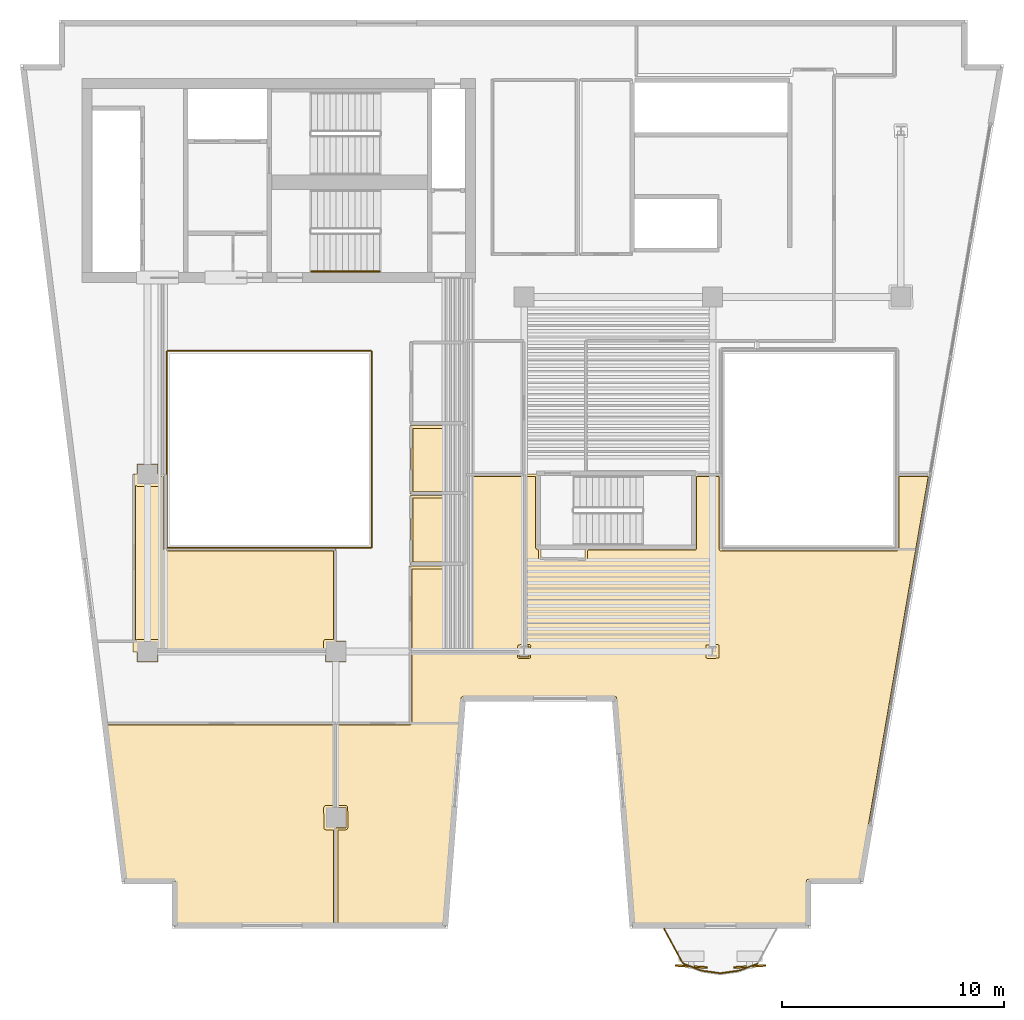
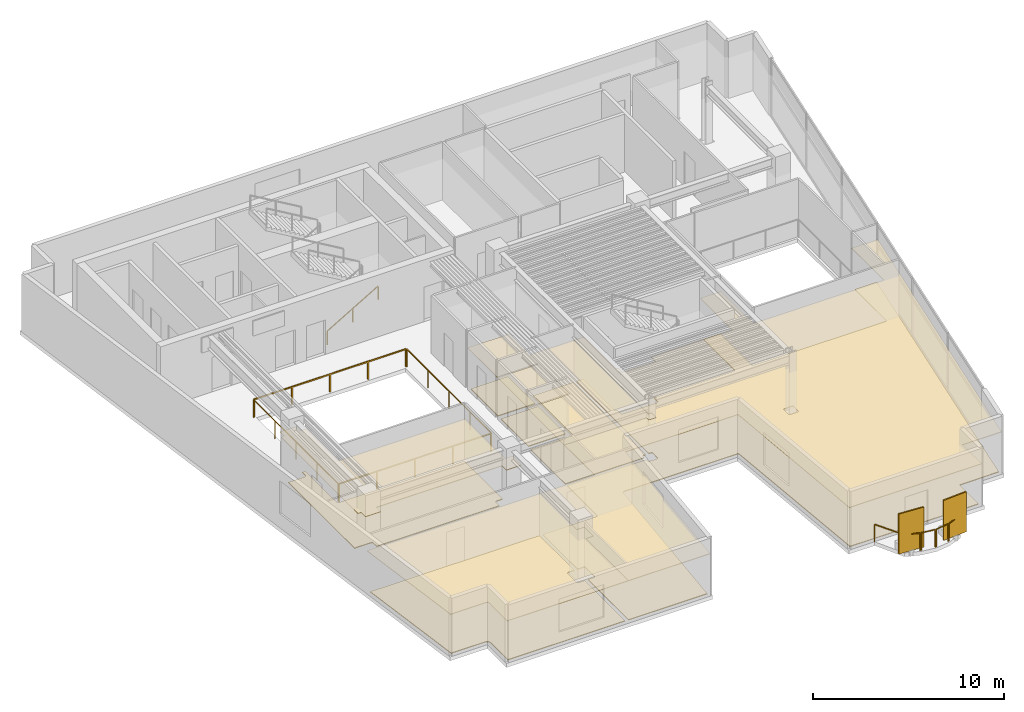
# One storey, part 7 of 10: 12 coverings, 10 railings, 2 shading devices.
"""IFC4 building model written with IfcOpenShell, lengths in metres."""

from ifc_helpers import new_model, si_unit, direction, frame, origin, origin_2d, place, context, subcontext, project, spatial, polyline, rectangle, outline, extrude, material, layer, layer_set, type_object, element, save


model = new_model("IFC4")

# Units and contexts
model_context = context("Model", 3, precision=1e-05, world=origin(), true_north=direction((0.0, 1.0)))
body_context = subcontext(model_context, "Body", "Model", "MODEL_VIEW")
ifc_project = project(units=[si_unit("LENGTHUNIT", "METRE"), si_unit("AREAUNIT", "SQUARE_METRE"), si_unit("VOLUMEUNIT", "CUBIC_METRE"), si_unit("PLANEANGLEUNIT", "RADIAN"), si_unit("MASSUNIT", "GRAM", prefix="KILO")], contexts=[model_context])

# Site, building, storey
site_placement = place(None, origin())
site = spatial("IfcSite", under=ifc_project, at=site_placement, CompositionType="ELEMENT")
building_placement = place(site_placement, origin())
building = spatial("IfcBuilding", under=site, at=building_placement, Name="Caeloran Harvest Quay", CompositionType="ELEMENT")
storey_placement = place(building_placement, frame((0.0, 0.0, 183.75)))
storey = spatial("IfcBuildingStorey", under=building, at=storey_placement, Name="L43", CompositionType="ELEMENT", Elevation=183.75)

# Coverings
ifc_material_1 = material(Name="Perforated Mineral-Fibre Acoustic Ceiling Tile", Category="ceiling")
ifc_layer_1 = layer(ifc_material_1, 0.0400390625, Name="Perforated Mineral-Fibre Acoustic Ceiling Tile")
ifc_layer_set_1 = layer_set([ifc_layer_1], Name="Perforated Mineral-Fibre Acoustic Ceiling Tile")
covering_type_1 = type_object("IfcCoveringType", Name="COV-CEILING-ACOUSTIC", PredefinedType="CEILING", material=ifc_layer_set_1)
covering_1_placement = place(storey_placement, frame((0.0, 0.0, 2.60009765625)))
element("IfcCovering", 1, at=covering_1_placement, inside=storey, type_object=covering_type_1, Name="L43 Female Washroom WC Acoustic Ceiling", PredefinedType="CEILING", context=body_context, shape_type="SweptSolid", body=[
    extrude(outline(polyline([(22.840087890625, 25.18994140625), (22.840087890625, 22.110107421875), (20.360107421875, 22.110107421875), (20.360107421875, 25.18994140625), (22.840087890625, 25.18994140625)])), origin(), (0.0, 0.0, 1.0), 0.039794921875),
])
covering_2_placement = place(storey_placement, frame((0.0, 0.0, 2.60009765625)))
element("IfcCovering", 2, at=covering_2_placement, inside=storey, type_object=covering_type_1, Name="L43 Accessible Unisex Washroom WC Acoustic Ceiling", PredefinedType="CEILING", context=body_context, shape_type="SweptSolid", body=[
    extrude(outline(polyline([(22.840087890625, 22.0400390625), (22.840087890625, 18.919921875), (20.360107421875, 18.919921875), (20.360107421875, 22.0400390625), (22.840087890625, 22.0400390625)])), origin(), (0.0, 0.0, 1.0), 0.039794921875),
])
covering_3_placement = place(storey_placement, frame((0.0, 0.0, 2.60009765625)))
element("IfcCovering", 3, at=covering_3_placement, inside=storey, type_object=covering_type_1, Name="Harbourfront Commercial Counsel Office Acoustic Ceiling", PredefinedType="CEILING", context=body_context, shape_type="SweptSolid", body=[
    extrude(outline(polyline([(9.691162109375, 4.547119140625), (9.650146484375, 4.588134765625), (9.60205078125, 4.60009765625), (7.4423828125, 4.60009765625), (6.544921875, 11.81005859375), (17.02001953125, 11.81005859375), (17.02001953125, 7.969970703125), (17.469970703125, 7.969970703125), (17.469970703125, 7.030029296875), (17.02001953125, 7.030029296875), (17.02001953125, 2.60009765625), (9.702880859375, 2.60009765625), (9.702880859375, 4.4990234375), (9.691162109375, 4.547119140625)])), origin(), (0.0, 0.0, 1.0), 0.039794921875),
])
covering_4_placement = place(storey_placement, frame((0.0, 0.0, 2.60009765625)))
element("IfcCovering", 4, at=covering_4_placement, inside=storey, type_object=covering_type_1, Name="Commodities Research Office Acoustic Ceiling", PredefinedType="CEILING", context=body_context, shape_type="SweptSolid", body=[
    extrude(outline(polyline([(16.530029296875, 7.969970703125), (16.97998046875, 7.969970703125), (16.97998046875, 11.81005859375), (20.31005859375, 11.81005859375), (20.31005859375, 15.02001953125), (25.27197265625, 15.02001953125), (25.27197265625, 15.242919921875), (25.47998046875, 15.242919921875), (25.47998046875, 23.02001953125), (26.139892578125, 23.02001953125), (26.139892578125, 19.708251953125), (26.260009765625, 19.665283203125), (26.260009765625, 19.239501953125), (28.239990234375, 19.210693359375), (28.239990234375, 19.68994140625), (33.159912109375, 19.68994140625), (33.159912109375, 23.02001953125), (34.409912109375, 23.02001953125), (34.409912109375, 19.659912109375), (42.2900390625, 19.659912109375), (42.2900390625, 23.02001953125), (43.87841796875, 23.02001953125), (40.71240234375, 4.60009765625), (38.35302734375, 4.60009765625), (38.35302734375, 2.60009765625), (30.362060546875, 2.60009765625), (29.56201171875, 12.85009765625), (22.764404296875, 12.85009765625), (21.964599609375, 2.60009765625), (16.97998046875, 2.60009765625), (16.97998046875, 7.030029296875), (16.530029296875, 7.030029296875), (16.530029296875, 7.969970703125)])), origin(), (0.0, 0.0, 1.0), 0.039794921875),
])
covering_5_placement = place(storey_placement, frame((0.0, 0.0, 2.60009765625)))
element("IfcCovering", 5, at=covering_5_placement, inside=storey, type_object=covering_type_1, Name="Maritime Trade Advisory Office Acoustic Ceiling", PredefinedType="CEILING", context=body_context, shape_type="SweptSolid", body=[
    extrude(outline(polyline([(8.030029296875, 14.97998046875), (7.840087890625, 14.97998046875), (7.840087890625, 23.02001953125), (8.030029296875, 23.02001953125), (8.030029296875, 23.469970703125), (8.969970703125, 23.469970703125), (8.969970703125, 23.02001953125), (9.360107421875, 23.02001953125), (9.360107421875, 19.659912109375), (17.02001953125, 19.659912109375), (17.02001953125, 15.469970703125), (17.469970703125, 15.469970703125), (17.469970703125, 14.530029296875), (16.530029296875, 14.530029296875), (16.530029296875, 14.97998046875), (8.969970703125, 14.97998046875), (8.969970703125, 14.530029296875), (8.030029296875, 14.530029296875), (8.030029296875, 14.97998046875)])), origin(), (0.0, 0.0, 1.0), 0.039794921875),
])
covering_6_placement = place(storey_placement, frame((0.0, 0.0, 2.60009765625)))
element("IfcCovering", 6, at=covering_6_placement, inside=storey, type_object=covering_type_1, Name="Managing Director Corner Office Acoustic Ceiling", PredefinedType="CEILING", context=body_context, shape_type="SweptSolid", body=[
    extrude(outline(polyline([(25.72802734375, 15.242919921875), (25.72802734375, 14.757080078125), (25.27197265625, 14.757080078125), (25.27197265625, 14.97998046875), (20.31005859375, 14.97998046875), (20.31005859375, 18.85009765625), (22.8701171875, 18.85009765625), (22.8701171875, 23.02001953125), (25.52001953125, 23.02001953125), (25.52001953125, 15.242919921875), (25.72802734375, 15.242919921875)])), origin(), (0.0, 0.0, 1.0), 0.039794921875),
])
ifc_material_2 = material(Name="Calcium-Sulphate Raised Access Floor and Terrazzo Finish", Category="flooring")
ifc_layer_2 = layer(ifc_material_2, 0.050048828125, Name="Calcium-Sulphate Raised Access Floor and Terrazzo Finish")
ifc_layer_set_2 = layer_set([ifc_layer_2], Name="Calcium-Sulphate Raised Access Floor and Terrazzo Finish")
covering_type_2 = type_object("IfcCoveringType", Name="COV-FLOOR-RAISED", PredefinedType="FLOORING", material=ifc_layer_set_2)
covering_7_placement = place(storey_placement, origin())
element("IfcCovering", 7, at=covering_7_placement, inside=storey, type_object=covering_type_2, Name="L43 Female Washroom WC Raised Finish Flooring", PredefinedType="FLOORING", context=body_context, shape_type="SweptSolid", body=[
    extrude(outline(polyline([(22.719970703125, 25.070068359375), (22.719970703125, 22.22998046875), (20.47998046875, 22.22998046875), (20.47998046875, 25.070068359375), (22.719970703125, 25.070068359375)])), origin(), (0.0, 0.0, 1.0), 0.050048828125),
])
covering_8_placement = place(storey_placement, origin())
element("IfcCovering", 8, at=covering_8_placement, inside=storey, type_object=covering_type_2, Name="L43 Accessible Unisex Washroom WC Raised Finish Flooring", PredefinedType="FLOORING", context=body_context, shape_type="SweptSolid", body=[
    extrude(outline(polyline([(22.719970703125, 21.919921875), (22.719970703125, 19.0400390625), (20.47998046875, 19.0400390625), (20.47998046875, 21.919921875), (22.719970703125, 21.919921875)])), origin(), (0.0, 0.0, 1.0), 0.050048828125),
])
covering_9_placement = place(storey_placement, origin())
element("IfcCovering", 9, at=covering_9_placement, inside=storey, type_object=covering_type_2, Name="Harbourfront Commercial Counsel Office Raised Finish Flooring", PredefinedType="FLOORING", context=body_context, shape_type="SweptSolid", body=[
    extrude(outline(polyline([(9.8076171875, 4.58056640625), (9.728515625, 4.6806640625), (9.62060546875, 4.71923828125), (7.54833984375, 4.719970703125), (6.680908203125, 11.68994140625), (16.89990234375, 11.68994140625), (16.89990234375, 8.044921875), (16.519287109375, 8.04345703125), (16.455078125, 7.965087890625), (16.461181640625, 7.00439453125), (16.527099609375, 6.955322265625), (16.89990234375, 6.955078125), (16.89990234375, 2.719970703125), (9.822998046875, 2.719970703125), (9.8076171875, 4.58056640625)])), origin(), (0.0, 0.0, 1.0), 0.050048828125),
])
covering_10_placement = place(storey_placement, origin())
element("IfcCovering", 10, at=covering_10_placement, inside=storey, type_object=covering_type_2, Name="Commodities Research Office Raised Finish Flooring", PredefinedType="FLOORING", context=body_context, shape_type="SweptSolid", body=[
    extrude(outline(polyline([(22.653076171875, 12.91943359375), (21.853515625, 2.719970703125), (17.10009765625, 2.719970703125), (17.10009765625, 6.955078125), (17.480712890625, 6.95654296875), (17.544921875, 7.034912109375), (17.538818359375, 7.99560546875), (17.472900390625, 8.044677734375), (17.10009765625, 8.044921875), (17.10009765625, 11.68994140625), (20.35009765625, 11.68994140625), (20.406494140625, 11.71337890625), (20.429931640625, 11.77001953125), (20.429931640625, 14.89990234375), (25.197021484375, 14.89990234375), (25.200439453125, 14.73876953125), (25.25390625, 14.685302734375), (25.722900390625, 14.681884765625), (25.784912109375, 14.711181640625), (25.799560546875, 15.26123046875), (25.74609375, 15.314697265625), (25.60009765625, 15.318115234375), (25.60009765625, 22.89990234375), (26.02001953125, 22.89990234375), (26.02001953125, 19.679931640625), (26.047119140625, 19.619873046875), (26.139892578125, 19.580810546875), (26.1533203125, 19.156005859375), (26.21875, 19.1201171875), (28.27880859375, 19.090087890625), (28.3583984375, 19.154296875), (28.360107421875, 19.570068359375), (33.250732421875, 19.588134765625), (33.280029296875, 19.64990234375), (33.280029296875, 22.89990234375), (34.2900390625, 22.89990234375), (34.2900390625, 19.6201171875), (34.33935546875, 19.546142578125), (42.345703125, 19.54150390625), (42.409912109375, 19.6201171875), (42.409912109375, 22.89990234375), (43.736083984375, 22.89990234375), (40.611328125, 4.719970703125), (38.26220703125, 4.701904296875), (38.23291015625, 4.639892578125), (38.23291015625, 2.719970703125), (30.472900390625, 2.719970703125), (29.66162109375, 12.93994140625), (29.59912109375, 12.969970703125), (22.7275390625, 12.969970703125), (22.653076171875, 12.91943359375)]), holes=[polyline([(34.302978515625, 15.238037109375), (34.279541015625, 15.294677734375), (34.230712890625, 15.317626953125), (33.726318359375, 15.2998046875), (33.697021484375, 15.238037109375), (33.715087890625, 14.711181640625), (33.777099609375, 14.681884765625), (34.273681640625, 14.7001953125), (34.302490234375, 14.754150390625), (34.302978515625, 15.238037109375)])]), origin(), (0.0, 0.0, 1.0), 0.050048828125),
])
covering_11_placement = place(storey_placement, origin())
element("IfcCovering", 11, at=covering_11_placement, inside=storey, type_object=covering_type_2, Name="Maritime Trade Advisory Office Raised Finish Flooring", PredefinedType="FLOORING", context=body_context, shape_type="SweptSolid", body=[
    extrude(outline(polyline([(7.9599609375, 15.49267578125), (7.9599609375, 22.50732421875), (8.034912109375, 22.455078125), (8.98828125, 22.45849609375), (9.044677734375, 22.527099609375), (9.044921875, 22.89990234375), (9.239990234375, 22.89990234375), (9.239990234375, 19.64990234375), (9.2607421875, 19.585693359375), (9.314208984375, 19.5458984375), (16.89990234375, 19.5400390625), (16.89990234375, 15.544921875), (16.527099609375, 15.544677734375), (16.478515625, 15.521484375), (16.455322265625, 15.472900390625), (16.455078125, 15.10009765625), (9.044921875, 15.10009765625), (9.044677734375, 15.472900390625), (8.99560546875, 15.538818359375), (8.034912109375, 15.544921875), (7.9599609375, 15.49267578125)])), origin(), (0.0, 0.0, 1.0), 0.050048828125),
])
covering_12_placement = place(storey_placement, origin())
element("IfcCovering", 12, at=covering_12_placement, inside=storey, type_object=covering_type_2, Name="Managing Director Corner Office Raised Finish Flooring", PredefinedType="FLOORING", context=body_context, shape_type="SweptSolid", body=[
    extrude(outline(polyline([(22.897705078125, 18.7314453125), (22.96240234375, 18.76708984375), (22.989990234375, 18.840087890625), (22.989990234375, 22.89990234375), (25.39990234375, 22.89990234375), (25.39990234375, 15.318115234375), (25.220458984375, 15.294677734375), (25.197021484375, 15.10009765625), (20.429931640625, 15.10009765625), (20.429931640625, 18.72998046875), (22.897705078125, 18.7314453125)])), origin(), (0.0, 0.0, 1.0), 0.050048828125),
])

# Railings
ifc_material_3 = material(Name="Powder-Coated Steel Post and Laminated Glass Guardrail", Category="steel")
ifc_layer_3 = layer(ifc_material_3, 0.06005859375, Name="Powder-Coated Steel Post and Laminated Glass Guardrail")
ifc_layer_set_3 = layer_set([ifc_layer_3], Name="Powder-Coated Steel Post and Laminated Glass Guardrail")
railing_type_1 = type_object("IfcRailingType", Name="GUARD-ATRIUM-1150", PredefinedType="GUARDRAIL", material=ifc_layer_set_3)
railing_1_placement = place(storey_placement, frame((9.412109375, 19.679931640625, 0.0)))
element("IfcRailing", 13, at=railing_1_placement, inside=storey, type_object=railing_type_1, Name="L43 Skylit Atrium Void Perimeter Guardrail Seg 1", PredefinedType="GUARDRAIL", context=body_context, shape_type="SweptSolid", body=[
    extrude(rectangle(XDim=0.048095703125, YDim=0.048095703125, at=origin_2d()), frame((0.0, 0.0, 1.1259765625), z_axis=(1.0, 0.0, 0.0), x_axis=(0.0, 1.0, 0.0)), (0.0, 0.0, 1.0), 9.17578125),
    extrude(rectangle(XDim=0.0419921875, YDim=0.0419921875, at=origin_2d()), origin(), (0.0, 0.0, 1.0), 1.101806640625),
    extrude(rectangle(XDim=0.0419921875, YDim=0.0419921875, at=origin_2d()), frame((2.2939453125, 0.0, 0.0)), (0.0, 0.0, 1.0), 1.101806640625),
    extrude(rectangle(XDim=0.0419921875, YDim=0.0419921875, at=origin_2d()), frame((4.587890625, 0.0, 0.0)), (0.0, 0.0, 1.0), 1.101806640625),
    extrude(rectangle(XDim=0.0419921875, YDim=0.0419921875, at=origin_2d()), frame((6.8818359375, 0.0, 0.0)), (0.0, 0.0, 1.0), 1.101806640625),
    extrude(rectangle(XDim=0.0419921875, YDim=0.0419921875, at=origin_2d()), frame((9.17578125, 0.0, 0.0)), (0.0, 0.0, 1.0), 1.101806640625),
])
railing_2_placement = place(storey_placement, frame((18.6201171875, 19.7119140625, 0.0)))
element("IfcRailing", 14, at=railing_2_placement, inside=storey, type_object=railing_type_1, Name="L43 Skylit Atrium Void Perimeter Guardrail Seg 2", PredefinedType="GUARDRAIL", context=body_context, shape_type="SweptSolid", body=[
    extrude(rectangle(XDim=0.048095703125, YDim=0.048095703125, at=origin_2d()), frame((0.0, 0.0, 1.1259765625), z_axis=(0.0, 1.0, 0.0), x_axis=(-1.0, 0.0, 0.0)), (0.0, 0.0, 1.0), 8.826171875),
    extrude(rectangle(XDim=0.0419921875, YDim=0.0419921875, at=origin_2d()), origin(), (0.0, 0.0, 1.0), 1.101806640625),
    extrude(rectangle(XDim=0.0419921875, YDim=0.0419921875, at=origin_2d()), frame((0.0, 2.20654296875, 0.0)), (0.0, 0.0, 1.0), 1.101806640625),
    extrude(rectangle(XDim=0.0419921875, YDim=0.0419921875, at=origin_2d()), frame((0.0, 4.4130859375, 0.0)), (0.0, 0.0, 1.0), 1.101806640625),
    extrude(rectangle(XDim=0.0419921875, YDim=0.0419921875, at=origin_2d()), frame((0.0, 6.61962890625, 0.0)), (0.0, 0.0, 1.0), 1.101806640625),
    extrude(rectangle(XDim=0.0419921875, YDim=0.0419921875, at=origin_2d()), frame((0.0, 8.826171875, 0.0)), (0.0, 0.0, 1.0), 1.101806640625),
])
railing_3_placement = place(storey_placement, frame((18.587890625, 28.570068359375, 0.0)))
element("IfcRailing", 15, at=railing_3_placement, inside=storey, type_object=railing_type_1, Name="L43 Skylit Atrium Void Perimeter Guardrail Seg 3", PredefinedType="GUARDRAIL", context=body_context, shape_type="SweptSolid", body=[
    extrude(rectangle(XDim=0.048095703125, YDim=0.048095703125, at=origin_2d()), frame((0.0, 0.0, 1.1259765625), z_axis=(-1.0, 0.0, 0.0), x_axis=(0.0, -1.0, 0.0)), (0.0, 0.0, 1.0), 9.17578125),
    extrude(rectangle(XDim=0.0419921875, YDim=0.0419921875, at=origin_2d()), origin(), (0.0, 0.0, 1.0), 1.101806640625),
    extrude(rectangle(XDim=0.0419921875, YDim=0.0419921875, at=origin_2d()), frame((-2.2939453125, 0.0, 0.0)), (0.0, 0.0, 1.0), 1.101806640625),
    extrude(rectangle(XDim=0.0419921875, YDim=0.0419921875, at=origin_2d()), frame((-4.587890625, 0.0, 0.0)), (0.0, 0.0, 1.0), 1.101806640625),
    extrude(rectangle(XDim=0.0419921875, YDim=0.0419921875, at=origin_2d()), frame((-6.8818359375, 0.0, 0.0)), (0.0, 0.0, 1.0), 1.101806640625),
    extrude(rectangle(XDim=0.0419921875, YDim=0.0419921875, at=origin_2d()), frame((-9.17578125, 0.0, 0.0)), (0.0, 0.0, 1.0), 1.101806640625),
])
railing_4_placement = place(storey_placement, frame((9.3798828125, 28.5380859375, 0.0)))
element("IfcRailing", 16, at=railing_4_placement, inside=storey, type_object=railing_type_1, Name="L43 Skylit Atrium Void Perimeter Guardrail Seg 4", PredefinedType="GUARDRAIL", context=body_context, shape_type="SweptSolid", body=[
    extrude(rectangle(XDim=0.048095703125, YDim=0.048095703125, at=origin_2d()), frame((0.0, 0.0, 1.1259765625), z_axis=(0.0, -1.0, 0.0), x_axis=(1.0, 0.0, 0.0)), (0.0, 0.0, 1.0), 8.826171875),
    extrude(rectangle(XDim=0.0419921875, YDim=0.0419921875, at=origin_2d()), origin(), (0.0, 0.0, 1.0), 1.101806640625),
    extrude(rectangle(XDim=0.0419921875, YDim=0.0419921875, at=origin_2d()), frame((0.0, -2.20654296875, 0.0)), (0.0, 0.0, 1.0), 1.101806640625),
    extrude(rectangle(XDim=0.0419921875, YDim=0.0419921875, at=origin_2d()), frame((0.0, -4.4130859375, 0.0)), (0.0, 0.0, 1.0), 1.101806640625),
    extrude(rectangle(XDim=0.0419921875, YDim=0.0419921875, at=origin_2d()), frame((0.0, -6.61962890625, 0.0)), (0.0, 0.0, 1.0), 1.101806640625),
    extrude(rectangle(XDim=0.0419921875, YDim=0.0419921875, at=origin_2d()), frame((0.0, -8.826171875, 0.0)), (0.0, 0.0, 1.0), 1.101806640625),
])
ifc_material_4 = material(Name="Laminated Safety Glass and Stainless Steel 316", Category="steel")
ifc_layer_4 = layer(ifc_material_4, 0.06005859375, Name="Laminated Safety Glass and Stainless Steel 316")
ifc_layer_set_4 = layer_set([ifc_layer_4], Name="Laminated Safety Glass and Stainless Steel 316")
railing_type_2 = type_object("IfcRailingType", Name="GUARD-BALUSTRADE-1150", PredefinedType="BALUSTRADE", material=ifc_layer_set_4)
railing_5_placement = place(storey_placement, frame((36.018798828125, 0.908203125, 0.0)))
element("IfcRailing", 17, at=railing_5_placement, inside=storey, type_object=railing_type_2, Name="L43 Planted Balcony Perimeter Balustrade Guard Seg 2", PredefinedType="BALUSTRADE", context=body_context, shape_type="SweptSolid", body=[
    extrude(rectangle(XDim=0.048095703125, YDim=0.048095703125, at=origin_2d()), frame((0.0, 0.0, 1.1259765625), z_axis=(-0.934358963189, -0.356333169812, 0.0), x_axis=(0.356333169812, -0.934358963189, 0.0)), (0.0, 0.0, 1.0), 0.84130859375),
    extrude(rectangle(XDim=0.0419921875, YDim=0.0419921875, at=origin_2d()), origin(), (0.0, 0.0, 1.0), 1.101806640625),
    extrude(rectangle(XDim=0.0419921875, YDim=0.0419921875, at=origin_2d()), frame((-0.7861328125, -0.2998046875, 0.0)), (0.0, 0.0, 1.0), 1.101806640625),
])
railing_6_placement = place(storey_placement, frame((35.1708984375, 0.5927734375, 0.0)))
element("IfcRailing", 18, at=railing_6_placement, inside=storey, type_object=railing_type_2, Name="L43 Planted Balcony Perimeter Balustrade Guard Seg 3", PredefinedType="BALUSTRADE", context=body_context, shape_type="SweptSolid", body=[
    extrude(rectangle(XDim=0.048095703125, YDim=0.048095703125, at=origin_2d()), frame((0.0, 0.0, 1.1259765625), z_axis=(-0.990377343879, -0.138393340629, 0.0), x_axis=(0.138393340629, -0.990377343879, 0.0)), (0.0, 0.0, 1.0), 0.790283203125),
    extrude(rectangle(XDim=0.0419921875, YDim=0.0419921875, at=origin_2d()), origin(), (0.0, 0.0, 1.0), 1.101806640625),
    extrude(rectangle(XDim=0.0419921875, YDim=0.0419921875, at=origin_2d()), frame((-0.78271484375, -0.109375, 0.0)), (0.0, 0.0, 1.0), 1.101806640625),
])
railing_7_placement = place(storey_placement, frame((34.32470703125, 0.4833984375, 0.0)))
element("IfcRailing", 19, at=railing_7_placement, inside=storey, type_object=railing_type_2, Name="L43 Planted Balcony Perimeter Balustrade Guard Seg 4", PredefinedType="BALUSTRADE", context=body_context, shape_type="SweptSolid", body=[
    extrude(rectangle(XDim=0.048095703125, YDim=0.048095703125, at=origin_2d()), frame((0.0, 0.0, 1.1259765625), z_axis=(-0.990377343879, 0.138393340629, 0.0), x_axis=(-0.138393340629, -0.990377343879, 0.0)), (0.0, 0.0, 1.0), 0.790283203125),
    extrude(rectangle(XDim=0.0419921875, YDim=0.0419921875, at=origin_2d()), origin(), (0.0, 0.0, 1.0), 1.101806640625),
    extrude(rectangle(XDim=0.0419921875, YDim=0.0419921875, at=origin_2d()), frame((-0.78271484375, 0.109375, 0.0)), (0.0, 0.0, 1.0), 1.101806640625),
])
railing_8_placement = place(storey_placement, frame((33.48046875, 0.6083984375, 0.0)))
element("IfcRailing", 20, at=railing_8_placement, inside=storey, type_object=railing_type_2, Name="L43 Planted Balcony Perimeter Balustrade Guard Seg 5", PredefinedType="BALUSTRADE", context=body_context, shape_type="SweptSolid", body=[
    extrude(rectangle(XDim=0.048095703125, YDim=0.048095703125, at=origin_2d()), frame((0.0, 0.0, 1.1259765625), z_axis=(-0.934395792516, 0.356236582804, 0.0), x_axis=(-0.356236582804, -0.934395792516, 0.0)), (0.0, 0.0, 1.0), 0.841552734375),
    extrude(rectangle(XDim=0.0419921875, YDim=0.0419921875, at=origin_2d()), origin(), (0.0, 0.0, 1.0), 1.101806640625),
    extrude(rectangle(XDim=0.0419921875, YDim=0.0419921875, at=origin_2d()), frame((-0.786376953125, 0.2998046875, 0.0)), (0.0, 0.0, 1.0), 1.101806640625),
])
railing_9_placement = place(storey_placement, frame((32.64892578125, 0.947509765625, 0.0)))
element("IfcRailing", 21, at=railing_9_placement, inside=storey, type_object=railing_type_2, Name="L43 Planted Balcony Perimeter Balustrade Guard Seg 6", PredefinedType="BALUSTRADE", context=body_context, shape_type="SweptSolid", body=[
    extrude(rectangle(XDim=0.048095703125, YDim=0.048095703125, at=origin_2d()), frame((0.0, 0.0, 1.1259765625), z_axis=(-0.476603455004, 0.87911839173, 0.0), x_axis=(-0.87911839173, -0.476603455004, 0.0)), (0.0, 0.0, 1.0), 1.7431640625),
    extrude(rectangle(XDim=0.0419921875, YDim=0.0419921875, at=origin_2d()), origin(), (0.0, 0.0, 1.0), 1.101806640625),
    extrude(rectangle(XDim=0.0419921875, YDim=0.0419921875, at=origin_2d()), frame((-0.830810546875, 1.532470703125, 0.0)), (0.0, 0.0, 1.0), 1.101806640625),
])

# Shading devices
ifc_material_5 = material(Name="3003-H14 Perforated Powder-Coated Aluminium", Category="aluminium")
shading_device_type = type_object("IfcShadingDeviceType", Name="SHADE-SCREEN-FOLDED", PredefinedType="USERDEFINED", material=ifc_material_5)
for number, where, z_axis, x_axis, name in (
    (22, (35.676513671875, 0.78515625, 0.0751953125), (0.0, 0.0, 1.0), (0.997801468292, 0.0662739004, 0.0), "L43 Folded Facade Breathing Screen 1"),
    (23, (33.03662109375, 0.78515625, 0.0751953125), (0.0, 0.0, 1.0), (0.997801468292, -0.0662739004, 0.0), "L43 Folded Facade Breathing Screen 2"),
):
    element("IfcShadingDevice", number, at=place(storey_placement, frame(where, z_axis=z_axis, x_axis=x_axis)), inside=storey, type_object=shading_device_type, Name=name, ObjectType="SCREEN", PredefinedType="USERDEFINED", context=body_context, shape_type="SweptSolid", body=[
        extrude(rectangle(XDim=1.449951171875, YDim=0.080078125, at=origin_2d()), origin(), (0.0, 0.0, 1.0), 2.550048828125),
    ])

# Railing
ifc_material_6 = material(Name="Brushed Stainless Steel Grade 304", Category="steel")
ifc_layer_5 = layer(ifc_material_6, 0.050048828125, Name="Brushed Stainless Steel Grade 304")
ifc_layer_set_5 = layer_set([ifc_layer_5], Name="Brushed Stainless Steel Grade 304")
railing_type_3 = type_object("IfcRailingType", Name="STAIR-HANDRAIL-900", PredefinedType="HANDRAIL", material=ifc_layer_set_5)
railing_10_placement = place(storey_placement, frame((15.89990234375, 32.14990234375, 0.16455078125)))
element("IfcRailing", 24, at=railing_10_placement, inside=storey, type_object=railing_type_3, Name="L43 ST-C2 stair handrail 1", PredefinedType="HANDRAIL", context=body_context, shape_type="SweptSolid", body=[
    extrude(rectangle(XDim=0.048095703125, YDim=0.048095703125, at=origin_2d()), frame((0.0, 0.0, 0.8759765625), z_axis=(0.862088758681, 0.0, 0.506757310905), x_axis=(0.0, 1.0, 0.0)), (0.0, 0.0, 1.0), 3.57275390625),
    extrude(rectangle(XDim=0.0419921875, YDim=0.0419921875, at=origin_2d()), origin(), (0.0, 0.0, 1.0), 0.851806640625),
    extrude(rectangle(XDim=0.0419921875, YDim=0.0419921875, at=origin_2d()), frame((1.5400390625, 0.0, 0.9052734375)), (0.0, 0.0, 1.0), 0.851806640625),
    extrude(rectangle(XDim=0.0419921875, YDim=0.0419921875, at=origin_2d()), frame((3.080078125, 0.0, 1.810546875)), (0.0, 0.0, 1.0), 0.851806640625),
])

save(model, "model.ifc")
